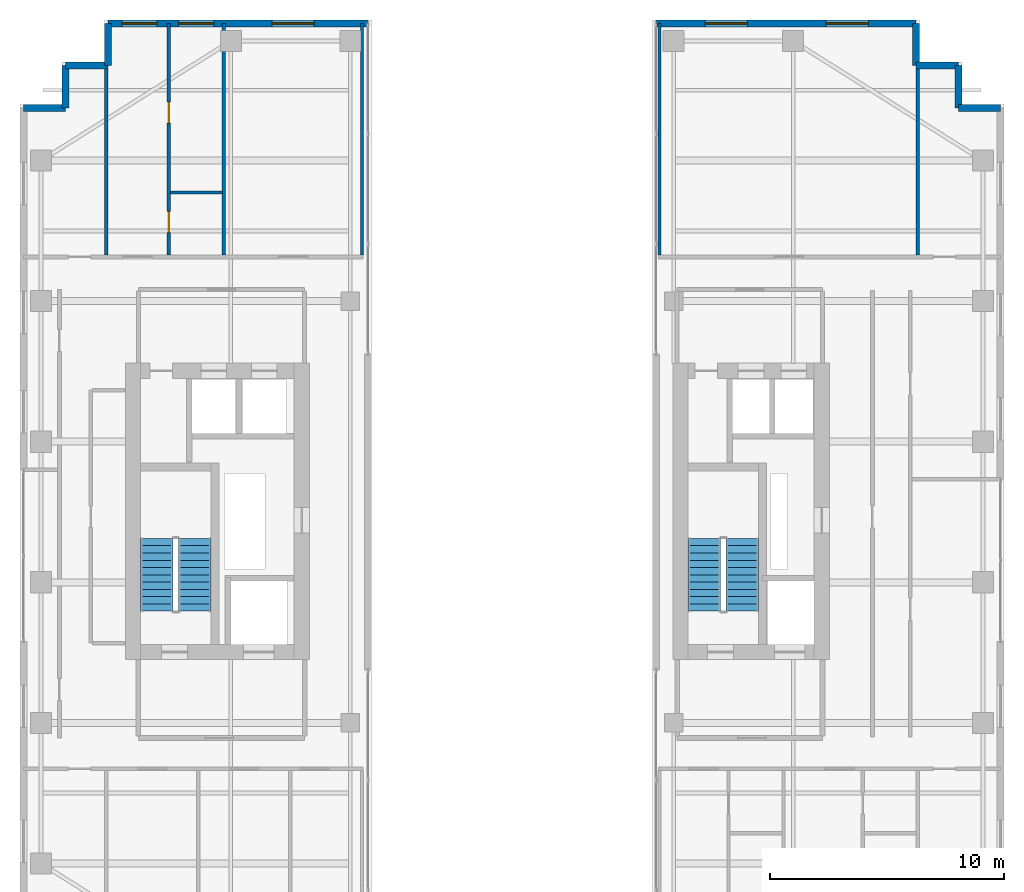
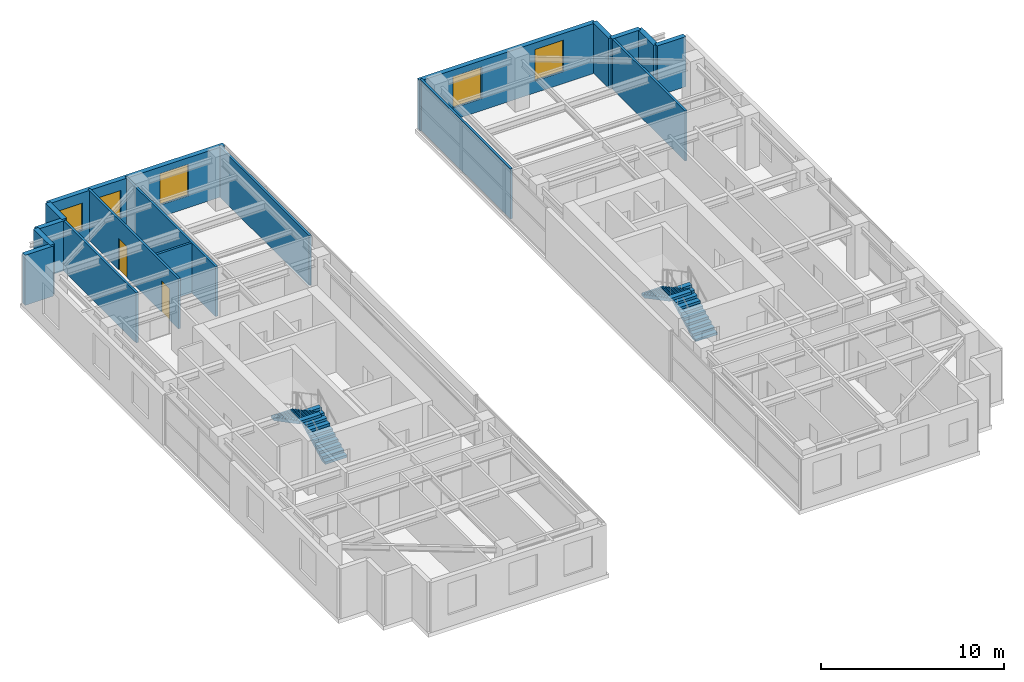
# One storey, part 19 of 20: 17 walls, 5 windows, 4 stair flights, 2 doors, 7 openings, 2 elements without a shape of their own.
"""IFC4 building model written with IfcOpenShell, lengths in metres."""

from ifc_helpers import new_model, si_unit, direction, frame, frame_2d, origin, place, context, subcontext, project, spatial, polyline, rectangle, outline, extrude, source, transform, mapped, material, layer, layer_set, type_object, element, fill, aggregate, save


model = new_model("IFC4")

# Units and contexts
model_context = context("Model", 3, precision=1e-05, world=origin(), true_north=direction((0.0, 1.0)))
body_context = subcontext(model_context, "Body", "Model", "MODEL_VIEW")
ifc_project = project(units=[si_unit("LENGTHUNIT", "METRE"), si_unit("AREAUNIT", "SQUARE_METRE"), si_unit("VOLUMEUNIT", "CUBIC_METRE"), si_unit("PLANEANGLEUNIT", "RADIAN"), si_unit("MASSUNIT", "GRAM", prefix="KILO")], contexts=[model_context])

# Site, building, storey
site_placement = place(None, origin())
site = spatial("IfcSite", under=ifc_project, at=site_placement, CompositionType="ELEMENT")
building_placement = place(site_placement, origin())
building = spatial("IfcBuilding", under=site, at=building_placement, Name="Khoralis Quay Care Tower", CompositionType="ELEMENT")
storey_placement = place(building_placement, frame((0.0, 0.0, 198.89990234375)))
storey = spatial("IfcBuildingStorey", under=building, at=storey_placement, Name="L52", CompositionType="ELEMENT", Elevation=198.89990234375)

# Wall, openings, windows
ifc_material_1 = material(Name="Precast concrete C45/55", Category="concrete")
ifc_layer_1 = layer(ifc_material_1, 0.300048828125)
ifc_layer_set_1 = layer_set([ifc_layer_1], Name="Precast concrete C45/55")
wall_type_1 = type_object("IfcWallType", Name="WL-EXT-REF-300", PredefinedType="SOLIDWALL", material=ifc_layer_set_1)
wall_1_placement = place(storey_placement, frame((17.85009765625, 41.85009765625, 0.0), z_axis=(0.0, 0.0, 1.0), x_axis=(-1.0, 0.0, 0.0)))
wall_1 = element("IfcWall", 1, at=wall_1_placement, inside=storey, type_object=wall_type_1, Name="L52 External Facade Wall WL-EXT-L52-P1-E2", PredefinedType="SOLIDWALL", context=body_context, shape_type="SweptSolid", body=[
    extrude(rectangle(XDim=11.10009765625, YDim=0.300048828125, at=frame_2d((5.550048828125, 0.0))), origin(), (0.0, 0.0, 1.0), 3.340087890625),
])
opening_1_placement = place(wall_1_placement, frame((2.300048828125, 0.0, 0.800048828125)))
opening_1 = element("IfcOpeningElement", 2, at=opening_1_placement, cuts=wall_1, Name="Opening W2", PredefinedType="OPENING", context=body_context, shape_type="SweptSolid", body=[
    extrude(rectangle(XDim=1.800048828125, YDim=2.10009765625, at=frame_2d((0.89990234375, 1.050048828125))), frame((0.0, 0.16015625, 0.0), z_axis=(0.0, -1.0, 0.0), x_axis=(1.0, 0.0, 0.0)), (0.0, 0.0, 1.0), 0.320068359375),
])
opening_2_placement = place(wall_1_placement, frame((6.574951171875, 0.0, 0.85009765625)))
opening_2 = element("IfcOpeningElement", 3, at=opening_2_placement, cuts=wall_1, Name="Opening W3", PredefinedType="OPENING", context=body_context, shape_type="SweptSolid", body=[
    extrude(rectangle(XDim=1.5, YDim=1.800048828125, at=frame_2d((0.75, 0.89990234375))), frame((0.0, 0.16015625, 0.0), z_axis=(0.0, -1.0, 0.0), x_axis=(1.0, 0.0, 0.0)), (0.0, 0.0, 1.0), 0.320068359375),
])
opening_3_placement = place(wall_1_placement, frame((9.0, 0.0, 0.85009765625)))
opening_3 = element("IfcOpeningElement", 4, at=opening_3_placement, cuts=wall_1, Name="Opening W3", PredefinedType="OPENING", context=body_context, shape_type="SweptSolid", body=[
    extrude(rectangle(XDim=1.5, YDim=1.800048828125, at=frame_2d((0.75, 0.89990234375))), frame((0.0, 0.16015625, 0.0), z_axis=(0.0, -1.0, 0.0), x_axis=(1.0, 0.0, 0.0)), (0.0, 0.0, 1.0), 0.320068359375),
])
ifc_material_2 = material(Name="Low-E solar-control double glazing", Category="glass")
window_type_1 = type_object("IfcWindowType", Name="WN-CLIN-1500X1800", PartitioningType="SINGLE_PANEL", PredefinedType="WINDOW", material=ifc_material_2)
shared_shape_1 = source(origin(), body_context, "Body", "SweptSolid", [
    extrude(rectangle(XDim=1.5, YDim=1.800048828125, at=frame_2d((0.75, 0.89990234375))), frame((0.0, 0.030029296875, 0.0), z_axis=(0.0, -1.0, 0.0), x_axis=(1.0, 0.0, 0.0)), (0.0, 0.0, 1.0), 0.06005859375),
])
window_1_placement = place(opening_2_placement, origin())
window_1 = element("IfcWindow", 5, at=window_1_placement, inside=storey, type_object=window_type_1, Name="WN-L52-P1-E2 Facade Window 02", OverallHeight=1.800048828125, OverallWidth=1.5, PartitioningType="SINGLE_PANEL", PredefinedType="WINDOW", context=body_context, shape_type="MappedRepresentation", body=[
    mapped(shared_shape_1, transform((0.0, 0.0, 0.0), scale=1.0)),
])
fill(opening_2, window_1)
window_2_placement = place(opening_3_placement, origin())
window_2 = element("IfcWindow", 6, at=window_2_placement, inside=storey, type_object=window_type_1, Name="WN-L52-P1-E2 Facade Window 03", OverallHeight=1.800048828125, OverallWidth=1.5, PartitioningType="SINGLE_PANEL", PredefinedType="WINDOW", context=body_context, shape_type="MappedRepresentation", body=[
    mapped(shared_shape_1, transform((0.0, 0.0, 0.0), scale=1.0)),
])
fill(opening_3, window_2)
window_type_2 = type_object("IfcWindowType", Name="WN-POD-1800X2100", PartitioningType="SINGLE_PANEL", PredefinedType="WINDOW", material=ifc_material_2)
shared_shape_2 = source(origin(), body_context, "Body", "SweptSolid", [
    extrude(rectangle(XDim=1.800048828125, YDim=2.10009765625, at=frame_2d((0.89990234375, 1.050048828125))), frame((0.0, 0.030029296875, 0.0), z_axis=(0.0, -1.0, 0.0), x_axis=(1.0, 0.0, 0.0)), (0.0, 0.0, 1.0), 0.06005859375),
])
window_3_placement = place(opening_1_placement, origin())
window_3 = element("IfcWindow", 7, at=window_3_placement, inside=storey, type_object=window_type_2, Name="WN-L52-P1-E2 Facade Window 01", OverallHeight=2.10009765625, OverallWidth=1.800048828125, PartitioningType="SINGLE_PANEL", PredefinedType="WINDOW", context=body_context, shape_type="MappedRepresentation", body=[
    mapped(shared_shape_2, transform((0.0, 0.0, 0.0), scale=1.0)),
])
fill(opening_1, window_3)

# Walls
for number, where, z_axis, x_axis, name in (
    (8, (6.75, 41.85009765625, 0.0), (0.0, 0.0, 1.0), (0.0, -1.0, 0.0), "L52 External Facade Wall WL-EXT-L52-P1-C3"),
    (9, (6.75, 40.050048828125, 0.0), (0.0, 0.0, 1.0), (-1.0, 0.0, 0.0), "L52 External Facade Wall WL-EXT-L52-P1-C4"),
    (10, (4.949951171875, 40.050048828125, 0.0), (0.0, 0.0, 1.0), (0.0, -1.0, 0.0), "L52 External Facade Wall WL-EXT-L52-P1-C5"),
    (11, (4.949951171875, 38.25, 0.0), (0.0, 0.0, 1.0), (-1.0, 0.0, 0.0), "L52 External Facade Wall WL-EXT-L52-P1-C6"),
    (12, (44.85009765625, 38.25, 0.0), (0.0, 0.0, 1.0), (-1.0, 0.0, 0.0), "L52 External Facade Wall WL-EXT-L52-P2-C6"),
    (13, (43.050048828125, 38.25, 0.0), (0.0, 0.0, 1.0), (0.0, 1.0, 0.0), "L52 External Facade Wall WL-EXT-L52-P2-C7"),
    (14, (43.050048828125, 40.050048828125, 0.0), (0.0, 0.0, 1.0), (-1.0, 0.0, 0.0), "L52 External Facade Wall WL-EXT-L52-P2-C8"),
    (15, (41.25, 40.050048828125, 0.0), (0.0, 0.0, 1.0), (0.0, 1.0, 0.0), "L52 External Facade Wall WL-EXT-L52-P2-C9"),
):
    element("IfcWall", number, at=place(storey_placement, frame(where, z_axis=z_axis, x_axis=x_axis)), inside=storey, type_object=wall_type_1, Name=name, PredefinedType="SOLIDWALL", context=body_context, shape_type="SweptSolid", body=[
        extrude(rectangle(XDim=1.800048828125, YDim=0.300048828125, at=frame_2d((0.89990234375, 0.0))), origin(), (0.0, 0.0, 1.0), 3.340087890625),
    ])

# Wall, openings, windows
wall_2_placement = place(storey_placement, frame((41.25, 41.85009765625, 0.0), z_axis=(0.0, 0.0, 1.0), x_axis=(-1.0, 0.0, 0.0)))
wall_2 = element("IfcWall", 16, at=wall_2_placement, inside=storey, type_object=wall_type_1, Name="L52 External Facade Wall WL-EXT-L52-P2-E10", PredefinedType="SOLIDWALL", context=body_context, shape_type="SweptSolid", body=[
    extrude(rectangle(XDim=11.10009765625, YDim=0.300048828125, at=frame_2d((5.550048828125, 0.0))), origin(), (0.0, 0.0, 1.0), 3.340087890625),
])
opening_4_placement = place(wall_2_placement, frame((2.04248046875, 0.0, 0.800048828125)))
opening_4 = element("IfcOpeningElement", 17, at=opening_4_placement, cuts=wall_2, Name="Opening W2", PredefinedType="OPENING", context=body_context, shape_type="SweptSolid", body=[
    extrude(rectangle(XDim=1.800048828125, YDim=2.10009765625, at=frame_2d((0.89990234375, 1.050048828125))), frame((0.0, 0.16015625, 0.0), z_axis=(0.0, -1.0, 0.0), x_axis=(1.0, 0.0, 0.0)), (0.0, 0.0, 1.0), 0.320068359375),
])
opening_5_placement = place(wall_2_placement, frame((7.20751953125, 0.0, 0.800048828125)))
opening_5 = element("IfcOpeningElement", 18, at=opening_5_placement, cuts=wall_2, Name="Opening W2", PredefinedType="OPENING", context=body_context, shape_type="SweptSolid", body=[
    extrude(rectangle(XDim=1.800048828125, YDim=2.10009765625, at=frame_2d((0.89990234375, 1.050048828125))), frame((0.0, 0.16015625, 0.0), z_axis=(0.0, -1.0, 0.0), x_axis=(1.0, 0.0, 0.0)), (0.0, 0.0, 1.0), 0.320068359375),
])
window_4_placement = place(opening_4_placement, origin())
window_4 = element("IfcWindow", 19, at=window_4_placement, inside=storey, type_object=window_type_2, Name="WN-L52-P2-E10 Facade Window 01", OverallHeight=2.10009765625, OverallWidth=1.800048828125, PartitioningType="SINGLE_PANEL", PredefinedType="WINDOW", context=body_context, shape_type="MappedRepresentation", body=[
    mapped(shared_shape_2, transform((0.0, 0.0, 0.0), scale=1.0)),
])
fill(opening_4, window_4)
window_5_placement = place(opening_5_placement, origin())
window_5 = element("IfcWindow", 20, at=window_5_placement, inside=storey, type_object=window_type_2, Name="WN-L52-P2-E10 Facade Window 02", OverallHeight=2.10009765625, OverallWidth=1.800048828125, PartitioningType="SINGLE_PANEL", PredefinedType="WINDOW", context=body_context, shape_type="MappedRepresentation", body=[
    mapped(shared_shape_2, transform((0.0, 0.0, 0.0), scale=1.0)),
])
fill(opening_5, window_5)

# Wall, openings, doors
ifc_material_3 = material(Name="Moisture-resistant gypsum and ceramic tile")
ifc_layer_2 = layer(ifc_material_3, 0.280029296875)
ifc_layer_set_2 = layer_set([ifc_layer_2], Name="Moisture-resistant gypsum and ceramic tile")
wall_type_2 = type_object("IfcWallType", Name="WL-PLUMB-280", PredefinedType="PLUMBINGWALL", material=ifc_layer_set_2)
wall_3_placement = place(storey_placement, frame((9.35009765625, 31.967529296875, 0.0), z_axis=(0.0, 0.0, 1.0), x_axis=(0.0, 1.0, 0.0)))
wall_3 = element("IfcWall", 21, at=wall_3_placement, inside=storey, type_object=wall_type_2, Name="L52 Care Suite 0 En-Suite Wall V", PredefinedType="PLUMBINGWALL", context=body_context, shape_type="SweptSolid", body=[
    extrude(rectangle(XDim=9.887451171875, YDim=0.139892578125, at=frame_2d((4.94384765625, 0.0))), origin(), (0.0, 0.0, 1.0), 3.340087890625),
])
opening_6_placement = place(wall_3_placement, frame((0.96240234375, 0.0, 0.0)))
opening_6 = element("IfcOpeningElement", 22, at=opening_6_placement, cuts=wall_3, Name="Opening WD1", PredefinedType="OPENING", context=body_context, shape_type="SweptSolid", body=[
    extrude(rectangle(XDim=0.89990234375, YDim=2.10009765625, at=frame_2d((0.449951171875, 1.050048828125))), frame((0.0, 0.080078125, 0.0), z_axis=(0.0, -1.0, 0.0), x_axis=(1.0, 0.0, 0.0)), (0.0, 0.0, 1.0), 0.159912109375),
])
opening_7_placement = place(wall_3_placement, frame((5.62744140625, 0.0, 0.0)))
opening_7 = element("IfcOpeningElement", 23, at=opening_7_placement, cuts=wall_3, Name="Opening WD1", PredefinedType="OPENING", context=body_context, shape_type="SweptSolid", body=[
    extrude(rectangle(XDim=0.89990234375, YDim=2.10009765625, at=frame_2d((0.449951171875, 1.050048828125))), frame((0.0, 0.080078125, 0.0), z_axis=(0.0, -1.0, 0.0), x_axis=(1.0, 0.0, 0.0)), (0.0, 0.0, 1.0), 0.159912109375),
])
ifc_material_4 = material(Name="Acoustic hardwood timber", Category="wood")
door_type = type_object("IfcDoorType", Name="DR-BATH-900X2100", OperationType="NOTDEFINED", PredefinedType="DOOR", material=ifc_material_4)
shared_shape_3 = source(origin(), body_context, "Body", "SweptSolid", [
    extrude(rectangle(XDim=0.89990234375, YDim=2.10009765625, at=frame_2d((0.449951171875, 1.050048828125))), frame((0.0, 0.02490234375, 0.0), z_axis=(0.0, -1.0, 0.0), x_axis=(1.0, 0.0, 0.0)), (0.0, 0.0, 1.0), 0.050048828125),
])
door_1_placement = place(opening_6_placement, frame((0.89990234375, 0.0, 0.0), z_axis=(0.0, 0.0, 1.0), x_axis=(-1.0, 0.0, 0.0)))
door_1 = element("IfcDoor", 24, at=door_1_placement, inside=storey, type_object=door_type, Name="L52 Care CENS Door", OperationType="SINGLE_SWING_RIGHT", OverallHeight=2.10009765625, OverallWidth=0.89990234375, PredefinedType="DOOR", context=body_context, shape_type="MappedRepresentation", body=[
    mapped(shared_shape_3, transform((0.0, 0.0, 0.0), scale=1.0)),
])
fill(opening_6, door_1)
door_2_placement = place(opening_7_placement, frame((0.89990234375, 0.0, 0.0), z_axis=(0.0, 0.0, 1.0), x_axis=(-1.0, 0.0, 0.0)))
door_2 = element("IfcDoor", 25, at=door_2_placement, inside=storey, type_object=door_type, Name="L52 Care CSIT Door", OperationType="SINGLE_SWING_LEFT", OverallHeight=2.10009765625, OverallWidth=0.89990234375, PredefinedType="DOOR", context=body_context, shape_type="MappedRepresentation", body=[
    mapped(shared_shape_3, transform((0.0, 0.0, 0.0), scale=1.0)),
])
fill(opening_7, door_2)

# Walls
wall_4_placement = place(storey_placement, frame((9.4150390625, 34.639892578125, 0.0), z_axis=(0.0, 0.0, 1.0), x_axis=(1.0, 0.0, 0.0)))
element("IfcWall", 26, at=wall_4_placement, inside=storey, type_object=wall_type_2, Name="L52 Care Suite 0 En-Suite Wall H", PredefinedType="PLUMBINGWALL", context=body_context, shape_type="SweptSolid", body=[
    extrude(rectangle(XDim=2.219970703125, YDim=0.139892578125, at=frame_2d((1.10986328125, 0.0))), origin(), (0.0, 0.0, 1.0), 3.340087890625),
])
ifc_material_5 = material(Name="Gypsum plasterboard on acoustic metal stud")
ifc_layer_3 = layer(ifc_material_5, 0.139892578125)
ifc_layer_set_3 = layer_set([ifc_layer_3], Name="Gypsum plasterboard on acoustic metal stud")
wall_type_3 = type_object("IfcWallType", Name="WL-UNIT-140", PredefinedType="PARTITIONING", material=ifc_layer_set_3)
wall_5_placement = place(storey_placement, frame((6.679931640625, 31.967529296875, 0.0), z_axis=(0.0, 0.0, 1.0), x_axis=(0.0, 1.0, 0.0)))
element("IfcWall", 27, at=wall_5_placement, inside=storey, type_object=wall_type_3, Name="L52 WN Demising Wall 0", PredefinedType="PARTITIONING", context=body_context, shape_type="SweptSolid", body=[
    extrude(rectangle(XDim=8.08740234375, YDim=0.139892578125, at=frame_2d((4.043701171875, 0.0))), origin(), (0.0, 0.0, 1.0), 3.340087890625),
])
for number, where, z_axis, x_axis, name in (
    (28, (11.699951171875, 31.967529296875, 0.0), (0.0, 0.0, 1.0), (0.0, 1.0, 0.0), "L52 WN Demising Wall 1"),
    (29, (17.60009765625, 31.967529296875, 0.0), (0.0, 0.0, 1.0), (0.0, 1.0, 0.0), "L52 WN Demising Wall 2"),
    (30, (30.300048828125, 31.967529296875, 0.0), (0.0, 0.0, 1.0), (0.0, 1.0, 0.0), "L52 EN Demising Wall 0"),
):
    element("IfcWall", number, at=place(storey_placement, frame(where, z_axis=z_axis, x_axis=x_axis)), inside=storey, type_object=wall_type_3, Name=name, PredefinedType="PARTITIONING", context=body_context, shape_type="SweptSolid", body=[
        extrude(rectangle(XDim=9.887451171875, YDim=0.139892578125, at=frame_2d((4.94384765625, 0.0))), origin(), (0.0, 0.0, 1.0), 3.340087890625),
    ])
wall_6_placement = place(storey_placement, frame((41.320068359375, 31.967529296875, 0.0), z_axis=(0.0, 0.0, 1.0), x_axis=(0.0, 1.0, 0.0)))
element("IfcWall", 31, at=wall_6_placement, inside=storey, type_object=wall_type_3, Name="L52 EN Demising Wall 1", PredefinedType="PARTITIONING", context=body_context, shape_type="SweptSolid", body=[
    extrude(rectangle(XDim=8.08740234375, YDim=0.139892578125, at=frame_2d((4.043701171875, 0.0))), origin(), (0.0, 0.0, 1.0), 3.340087890625),
])

# Stair, stair flights
stair_type = type_object("IfcStairType", Name="ST-TWR-DOGLEG-1400", PredefinedType="HALF_TURN_STAIR", material=ifc_material_1)
stair_1_placement = place(storey_placement, origin())
stair_1 = element("IfcStair", 32, at=stair_1_placement, inside=storey, type_object=stair_type, Name="L52 West Core Exit Stair ST-T1", PredefinedType="HALF_TURN_STAIR")
stair_flight_type = type_object("IfcStairFlightType", Name="SF-TWR-1400", PredefinedType="STRAIGHT", material=ifc_material_1)
shared_shape_4 = source(origin(), body_context, "Body", "SweptSolid", [
    extrude(outline(polyline([(0.0, 0.0), (0.0, 0.16357421875), (0.31005859375, 0.16357421875), (0.31005859375, 0.327392578125), (0.6201171875, 0.327392578125), (0.6201171875, 0.490966796875), (0.929931640625, 0.490966796875), (0.929931640625, 0.654541015625), (1.239990234375, 0.654541015625), (1.239990234375, 0.818115234375), (1.550048828125, 0.818115234375), (1.550048828125, 0.98193359375), (1.860107421875, 0.98193359375), (1.860107421875, 1.1455078125), (2.169921875, 1.1455078125), (2.169921875, 1.30908203125), (2.47998046875, 1.30908203125), (2.47998046875, 1.47265625), (2.7900390625, 1.47265625), (2.7900390625, 1.636474609375), (3.10009765625, 1.636474609375), (3.10009765625, 1.800048828125), (3.10009765625, 1.466796875), (0.321044921875, 0.0), (0.0, 0.0)])), frame((0.0, 0.68994140625, 0.0), z_axis=(0.0, -1.0, 0.0), x_axis=(1.0, 0.0, 0.0)), (0.0, 0.0, 1.0), 1.3798828125),
])
stair_flight_1_placement = place(storey_placement, frame((10.4599609375, 16.77001953125, 0.0), z_axis=(0.0, 0.0, 1.0), x_axis=(0.0, 1.0, 0.0)))
stair_flight_1 = element("IfcStairFlight", 33, at=stair_flight_1_placement, type_object=stair_flight_type, Name="ST-T1 flight 1", NumberOfRisers=11, NumberOfTreads=10, PredefinedType="STRAIGHT", RiserHeight=0.163636364, TreadLength=0.31, context=body_context, shape_type="MappedRepresentation", body=[
    mapped(shared_shape_4, transform((0.0, 0.0, 0.0), scale=1.0)),
])
stair_flight_2_placement = place(storey_placement, frame((8.840087890625, 19.8701171875, 1.800048828125), z_axis=(0.0, 0.0, 1.0), x_axis=(0.0, -1.0, 0.0)))
stair_flight_2 = element("IfcStairFlight", 34, at=stair_flight_2_placement, type_object=stair_flight_type, Name="ST-T1 flight 2", NumberOfRisers=11, NumberOfTreads=10, PredefinedType="STRAIGHT", RiserHeight=0.163636364, TreadLength=0.31, context=body_context, shape_type="MappedRepresentation", body=[
    mapped(shared_shape_4, transform((0.0, 0.0, 0.0), scale=1.0)),
])
aggregate(stair_1, [stair_flight_1, stair_flight_2])

stair_2_placement = place(storey_placement, origin())
stair_2 = element("IfcStair", 35, at=stair_2_placement, inside=storey, type_object=stair_type, Name="L52 East Core Exit Stair ST-T2", PredefinedType="HALF_TURN_STAIR")
stair_flight_3_placement = place(storey_placement, frame((33.830078125, 16.77001953125, 0.0), z_axis=(0.0, 0.0, 1.0), x_axis=(0.0, 1.0, 0.0)))
stair_flight_3 = element("IfcStairFlight", 36, at=stair_flight_3_placement, type_object=stair_flight_type, Name="ST-T2 flight 1", NumberOfRisers=11, NumberOfTreads=10, PredefinedType="STRAIGHT", RiserHeight=0.163636364, TreadLength=0.31, context=body_context, shape_type="MappedRepresentation", body=[
    mapped(shared_shape_4, transform((0.0, 0.0, 0.0), scale=1.0)),
])
stair_flight_4_placement = place(storey_placement, frame((32.2099609375, 19.8701171875, 1.800048828125), z_axis=(0.0, 0.0, 1.0), x_axis=(0.0, -1.0, 0.0)))
stair_flight_4 = element("IfcStairFlight", 37, at=stair_flight_4_placement, type_object=stair_flight_type, Name="ST-T2 flight 2", NumberOfRisers=11, NumberOfTreads=10, PredefinedType="STRAIGHT", RiserHeight=0.163636364, TreadLength=0.31, context=body_context, shape_type="MappedRepresentation", body=[
    mapped(shared_shape_4, transform((0.0, 0.0, 0.0), scale=1.0)),
])
aggregate(stair_2, [stair_flight_3, stair_flight_4])

save(model, "model.ifc")
